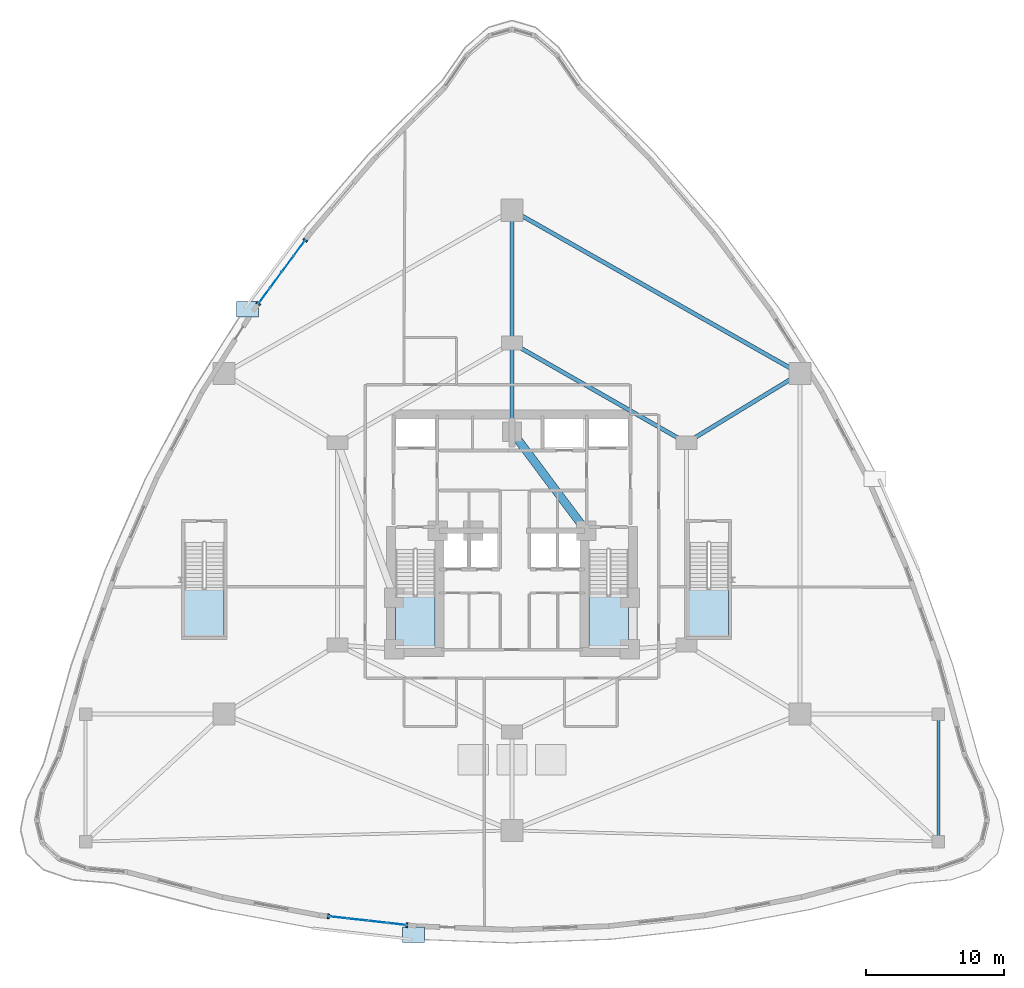
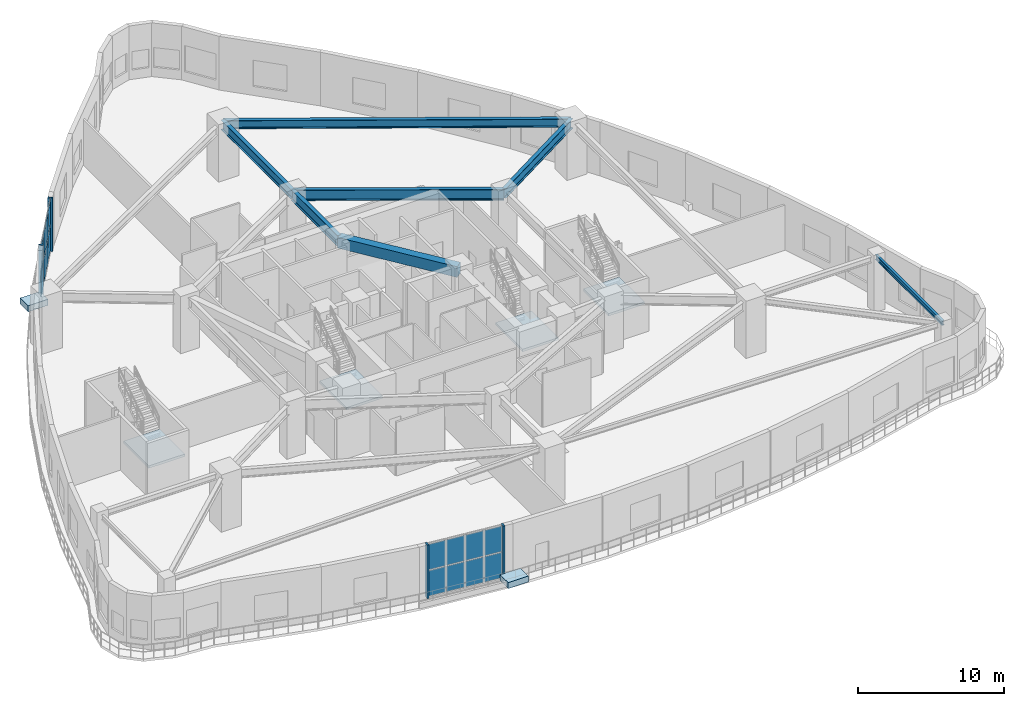
# One storey, part 13 of 23: 20 plates, 7 beams, 6 slabs, 6 elements without a shape of their own.
"""IFC4 building model written with IfcOpenShell, lengths in metres."""

from ifc_helpers import new_model, si_unit, direction, frame, origin, origin_2d, place, context, subcontext, project, spatial, polyline, rectangle, i_section, outline, extrude, material, layer, layer_set, material_profile, profile_set, type_object, element, aggregate, save


model = new_model("IFC4")

# Units and contexts
model_context = context("Model", 3, precision=1e-05, world=origin(), true_north=direction((0.0, 1.0)))
body_context = subcontext(model_context, "Body", "Model", "MODEL_VIEW")
ifc_project = project(units=[si_unit("LENGTHUNIT", "METRE"), si_unit("AREAUNIT", "SQUARE_METRE"), si_unit("VOLUMEUNIT", "CUBIC_METRE"), si_unit("PLANEANGLEUNIT", "RADIAN"), si_unit("MASSUNIT", "GRAM", prefix="KILO")], contexts=[model_context])

# Site, building, storey
site_placement = place(None, origin())
site = spatial("IfcSite", under=ifc_project, at=site_placement, CompositionType="ELEMENT")
building_placement = place(site_placement, origin())
building = spatial("IfcBuilding", under=site, at=building_placement, Name="Miruveldt Soraemaru", CompositionType="ELEMENT")
storey_placement = place(building_placement, frame((0.0, 0.0, 9.60009765625)))
storey = spatial("IfcBuildingStorey", under=building, at=storey_placement, Name="L03", CompositionType="ELEMENT", Elevation=9.60009765625)

# Beams
ifc_material_1 = material(Name="Concrete C60/75 (60 MPa)", Category="concrete")
ifc_material_profile_1 = material_profile(ifc_material_1, rectangle(XDim=0.60009765625, YDim=0.89990234375, at=origin_2d()), Name="Concrete C60/75 (60 MPa)", Category="concrete")
ifc_profile_set_1 = profile_set([ifc_material_profile_1], Name="Concrete C60/75 (60 MPa)")
beam_type_1 = type_object("IfcBeamType", Name="BM-RC-600x900", PredefinedType="BEAM", material=ifc_profile_set_1)
beam_1_placement = place(storey_placement, frame((49.35009765625, 44.050048828125, 4.0498046875), z_axis=(-0.599116023999, 0.800662219533, 0.0), x_axis=(-0.800662219533, -0.599116023999, 0.0)))
element("IfcBeam", 1, at=beam_1_placement, inside=storey, type_object=beam_type_1, Name="L03 Core Tie Beam 5", PredefinedType="BEAM", context=body_context, shape_type="SweptSolid", body=[
    extrude(rectangle(XDim=0.60009765625, YDim=0.89990234375, at=origin_2d()), origin(), (0.0, 0.0, 1.0), 8.929931640625),
])
ifc_material_2 = material(Name="Steel SM355 (355 MPa)", Category="steel")
ifc_material_profile_2 = material_profile(ifc_material_2, i_section(OverallWidth=0.199951171875, OverallDepth=0.39990234375, WebThickness=0.008056640625, FlangeThickness=0.012939453125, FilletRadius=0.01611328125, at=origin_2d()), Name="Steel SM355 (355 MPa)", Category="steel")
ifc_profile_set_2 = profile_set([ifc_material_profile_2], Name="Steel SM355 (355 MPa)")
beam_type_2 = type_object("IfcBeamType", Name="BM-ST-H400", PredefinedType="JOIST", material=ifc_profile_set_2)
beam_2_placement = place(storey_placement, frame((74.800048828125, 30.800048828125, 4.2998046875), z_axis=(0.0, -1.0, 0.0), x_axis=(1.0, 0.0, 0.0)))
element("IfcBeam", 2, at=beam_2_placement, inside=storey, type_object=beam_type_2, Name="L03 Podium East Bay Edge Beam", PredefinedType="JOIST", context=body_context, shape_type="SweptSolid", body=[
    extrude(i_section(OverallWidth=0.199951171875, OverallDepth=0.39990234375, WebThickness=0.008056640625, FlangeThickness=0.012939453125, FilletRadius=0.01611328125, at=origin_2d()), origin(), (0.0, 0.0, 1.0), 9.199951171875),
])
ifc_material_profile_3 = material_profile(ifc_material_2, i_section(OverallWidth=0.300048828125, OverallDepth=0.699951171875, WebThickness=0.012939453125, FlangeThickness=0.02392578125, FilletRadius=0.028076171875, at=origin_2d()), Name="Steel SM355 (355 MPa)", Category="steel")
ifc_profile_set_3 = profile_set([ifc_material_profile_3], Name="Steel SM355 (355 MPa)")
beam_type_3 = type_object("IfcBeamType", Name="BM-ST-H700", PredefinedType="BEAM", material=ifc_profile_set_3)
beam_3_placement = place(storey_placement, frame((44.0, 67.199951171875, 4.14990234375), z_axis=(0.869782551993, -0.493435215858, 0.0), x_axis=(0.493435215858, 0.869782551993, 0.0)))
element("IfcBeam", 3, at=beam_3_placement, inside=storey, type_object=beam_type_3, Name="L03 Podium Ring Girder 1", PredefinedType="BEAM", context=body_context, shape_type="SweptSolid", body=[
    extrude(i_section(OverallWidth=0.300048828125, OverallDepth=0.699951171875, WebThickness=0.012939453125, FlangeThickness=0.02392578125, FilletRadius=0.028076171875, at=origin_2d()), origin(), (0.0, 0.0, 1.0), 23.9140625),
])
ifc_material_3 = material(Name="Steel S460 (460 MPa)", Category="steel")
ifc_material_profile_4 = material_profile(ifc_material_3, i_section(OverallWidth=0.300048828125, OverallDepth=0.800048828125, WebThickness=0.013916015625, FlangeThickness=0.02587890625, FilletRadius=0.028076171875, at=origin_2d()), Name="Steel S460 (460 MPa)", Category="steel")
ifc_profile_set_4 = profile_set([ifc_material_profile_4], Name="Steel S460 (460 MPa)")
beam_type_4 = type_object("IfcBeamType", Name="BM-ST-H800", PredefinedType="BEAM", material=ifc_profile_set_4)
beam_4_placement = place(storey_placement, frame((44.0, 57.60009765625, 4.099853515625), z_axis=(0.0, 1.0, 0.0), x_axis=(-1.0, 0.0, 0.0)))
element("IfcBeam", 4, at=beam_4_placement, inside=storey, type_object=beam_type_4, Name="L03 Podium Radial Girder 1", PredefinedType="BEAM", context=body_context, shape_type="SweptSolid", body=[
    extrude(i_section(OverallWidth=0.300048828125, OverallDepth=0.800048828125, WebThickness=0.013916015625, FlangeThickness=0.02587890625, FilletRadius=0.028076171875, at=origin_2d()), origin(), (0.0, 0.0, 1.0), 9.599853515625),
])
beam_5_placement = place(storey_placement, frame((56.60009765625, 50.39990234375, 4.099853515625), z_axis=(0.853794797843, 0.520609684098, 0.0), x_axis=(-0.520609684098, 0.853794797843, 0.0)))
element("IfcBeam", 5, at=beam_5_placement, inside=storey, type_object=beam_type_4, Name="L03 Podium Radial Girder 2", PredefinedType="BEAM", context=body_context, shape_type="SweptSolid", body=[
    extrude(i_section(OverallWidth=0.300048828125, OverallDepth=0.800048828125, WebThickness=0.013916015625, FlangeThickness=0.02587890625, FilletRadius=0.028076171875, at=origin_2d()), origin(), (0.0, 0.0, 1.0), 9.60400390625),
])
ifc_material_profile_5 = material_profile(ifc_material_3, i_section(OverallWidth=0.300048828125, OverallDepth=0.89990234375, WebThickness=0.01611328125, FlangeThickness=0.028076171875, FilletRadius=0.028076171875, at=origin_2d()), Name="Steel S460 (460 MPa)", Category="steel")
ifc_profile_set_5 = profile_set([ifc_material_profile_5], Name="Steel S460 (460 MPa)")
beam_type_5 = type_object("IfcBeamType", Name="BM-ST-H900", PredefinedType="BEAM", material=ifc_profile_set_5)
beam_6_placement = place(storey_placement, frame((44.0, 57.60009765625, 4.0498046875), z_axis=(0.868239001029, -0.496146185203, 0.0), x_axis=(0.496146185203, 0.868239001029, 0.0)))
element("IfcBeam", 6, at=beam_6_placement, inside=storey, type_object=beam_type_5, Name="L03 Inner Ring Girder 1", PredefinedType="BEAM", context=body_context, shape_type="SweptSolid", body=[
    extrude(i_section(OverallWidth=0.300048828125, OverallDepth=0.89990234375, WebThickness=0.01611328125, FlangeThickness=0.028076171875, FilletRadius=0.028076171875, at=origin_2d()), origin(), (0.0, 0.0, 1.0), 14.51220703125),
])
beam_7_placement = place(storey_placement, frame((44.0, 51.199951171875, 4.0498046875), z_axis=(0.0, 1.0, 0.0), x_axis=(-1.0, 0.0, 0.0)))
element("IfcBeam", 7, at=beam_7_placement, inside=storey, type_object=beam_type_5, Name="L03 Core-to-Inner Radial Girder 1", PredefinedType="BEAM", context=body_context, shape_type="SweptSolid", body=[
    extrude(i_section(OverallWidth=0.300048828125, OverallDepth=0.89990234375, WebThickness=0.01611328125, FlangeThickness=0.028076171875, FilletRadius=0.028076171875, at=origin_2d()), origin(), (0.0, 0.0, 1.0), 6.400146484375),
])

# Curtain wall, plates
ifc_material_4 = material(Name="Anodised aluminium EN AW-6063 T6", Category="aluminium")
ifc_layer_1 = layer(ifc_material_4, 0.219970703125, Name="Anodised aluminium EN AW-6063 T6", Category="aluminium")
ifc_layer_set_1 = layer_set([ifc_layer_1], Name="Anodised aluminium EN AW-6063 T6")
curtain_wall_type = type_object("IfcCurtainWallType", Name="CW-SYS-2", PredefinedType="USERDEFINED", material=ifc_layer_set_1)
curtain_wall_1_placement = place(storey_placement, origin())
curtain_wall_1 = element("IfcCurtainWall", 8, at=curtain_wall_1_placement, inside=storey, type_object=curtain_wall_type, Name="L03 Curtain Wall Bay 9", ObjectType="STOREFRONT", PredefinedType="USERDEFINED")
ifc_material_5 = material(Name="Triple low-e insulated glazing", Category="glass")
ifc_layer_2 = layer(ifc_material_5, 0.031982421875, Name="Triple low-e insulated glazing", Category="glass")
ifc_layer_set_2 = layer_set([ifc_layer_2], Name="Triple low-e insulated glazing")
plate_type_1 = type_object("IfcPlateType", Name="CWP-2", PredefinedType="CURTAIN_PANEL", material=ifc_layer_set_2)
plate_1_placement = place(storey_placement, frame((28.631103515625, 64.44677734375, 0.07470703125), z_axis=(0.0, 0.0, 1.0), x_axis=(-0.593687521762, -0.804695673223, 0.0)))
plate_1 = element("IfcPlate", 9, at=plate_1_placement, type_object=plate_type_1, Name="CW-2 panel 1.1", PredefinedType="CURTAIN_PANEL", context=body_context, shape_type="SweptSolid", body=[
    extrude(rectangle(XDim=1.311767578125, YDim=0.031982421875, at=origin_2d()), origin(), (0.0, 0.0, 1.0), 2.137451171875),
])
plate_2_placement = place(storey_placement, frame((28.631103515625, 64.44677734375, 2.28759765625), z_axis=(0.0, 0.0, 1.0), x_axis=(-0.593687521762, -0.804695673223, 0.0)))
plate_2 = element("IfcPlate", 10, at=plate_2_placement, type_object=plate_type_1, Name="CW-2 panel 1.2", PredefinedType="CURTAIN_PANEL", context=body_context, shape_type="SweptSolid", body=[
    extrude(rectangle(XDim=1.311767578125, YDim=0.031982421875, at=origin_2d()), origin(), (0.0, 0.0, 1.0), 2.137451171875),
])
plate_3_placement = place(storey_placement, frame((27.796630859375, 63.315673828125, 0.07470703125), z_axis=(0.0, 0.0, 1.0), x_axis=(-0.593687521762, -0.804695673223, 0.0)))
plate_3 = element("IfcPlate", 11, at=plate_3_placement, type_object=plate_type_1, Name="CW-2 panel 2.1", PredefinedType="CURTAIN_PANEL", context=body_context, shape_type="SweptSolid", body=[
    extrude(rectangle(XDim=1.34912109375, YDim=0.031982421875, at=origin_2d()), origin(), (0.0, 0.0, 1.0), 2.137451171875),
])
plate_4_placement = place(storey_placement, frame((27.796630859375, 63.315673828125, 2.28759765625), z_axis=(0.0, 0.0, 1.0), x_axis=(-0.593687521762, -0.804695673223, 0.0)))
plate_4 = element("IfcPlate", 12, at=plate_4_placement, type_object=plate_type_1, Name="CW-2 panel 2.2", PredefinedType="CURTAIN_PANEL", context=body_context, shape_type="SweptSolid", body=[
    extrude(rectangle(XDim=1.34912109375, YDim=0.031982421875, at=origin_2d()), origin(), (0.0, 0.0, 1.0), 2.137451171875),
])
plate_5_placement = place(storey_placement, frame((26.950927734375, 62.169677734375, 0.07470703125), z_axis=(0.0, 0.0, 1.0), x_axis=(-0.593687521762, -0.804695673223, 0.0)))
plate_5 = element("IfcPlate", 13, at=plate_5_placement, type_object=plate_type_1, Name="CW-2 panel 3.1", PredefinedType="CURTAIN_PANEL", context=body_context, shape_type="SweptSolid", body=[
    extrude(rectangle(XDim=1.34912109375, YDim=0.031982421875, at=origin_2d()), origin(), (0.0, 0.0, 1.0), 2.137451171875),
])
plate_6_placement = place(storey_placement, frame((26.950927734375, 62.169677734375, 2.28759765625), z_axis=(0.0, 0.0, 1.0), x_axis=(-0.593687521762, -0.804695673223, 0.0)))
plate_6 = element("IfcPlate", 14, at=plate_6_placement, type_object=plate_type_1, Name="CW-2 panel 3.2", PredefinedType="CURTAIN_PANEL", context=body_context, shape_type="SweptSolid", body=[
    extrude(rectangle(XDim=1.34912109375, YDim=0.031982421875, at=origin_2d()), origin(), (0.0, 0.0, 1.0), 2.137451171875),
])
plate_7_placement = place(storey_placement, frame((26.11669921875, 61.038818359375, 0.07470703125), z_axis=(0.0, 0.0, 1.0), x_axis=(-0.593687521762, -0.804695673223, 0.0)))
plate_7 = element("IfcPlate", 15, at=plate_7_placement, type_object=plate_type_1, Name="CW-2 panel 4.1", PredefinedType="CURTAIN_PANEL", context=body_context, shape_type="SweptSolid", body=[
    extrude(rectangle(XDim=1.311767578125, YDim=0.031982421875, at=origin_2d()), origin(), (0.0, 0.0, 1.0), 2.137451171875),
])
plate_8_placement = place(storey_placement, frame((26.11669921875, 61.038818359375, 2.28759765625), z_axis=(0.0, 0.0, 1.0), x_axis=(-0.593687521762, -0.804695673223, 0.0)))
plate_8 = element("IfcPlate", 16, at=plate_8_placement, type_object=plate_type_1, Name="CW-2 panel 4.2", PredefinedType="CURTAIN_PANEL", context=body_context, shape_type="SweptSolid", body=[
    extrude(rectangle(XDim=1.311767578125, YDim=0.031982421875, at=origin_2d()), origin(), (0.0, 0.0, 1.0), 2.137451171875),
])
aggregate(curtain_wall_1, [plate_1, plate_2, plate_3, plate_4, plate_5, plate_6, plate_7, plate_8])

curtain_wall_2_placement = place(storey_placement, origin())
curtain_wall_2 = element("IfcCurtainWall", 17, at=curtain_wall_2_placement, inside=storey, type_object=curtain_wall_type, Name="L03 Curtain Wall Bay 23", ObjectType="STOREFRONT", PredefinedType="USERDEFINED")
plate_9_placement = place(storey_placement, frame((31.465576171875, 16.11669921875, 0.07470703125), z_axis=(0.0, 0.0, 1.0), x_axis=(0.993733192934, -0.11177808936, 0.0)))
plate_9 = element("IfcPlate", 18, at=plate_9_placement, type_object=plate_type_1, Name="CW-2 panel 1.1", PredefinedType="CURTAIN_PANEL", context=body_context, shape_type="SweptSolid", body=[
    extrude(rectangle(XDim=1.311767578125, YDim=0.031982421875, at=origin_2d()), origin(), (0.0, 0.0, 1.0), 2.137451171875),
])
plate_10_placement = place(storey_placement, frame((31.465576171875, 16.11669921875, 2.28759765625), z_axis=(0.0, 0.0, 1.0), x_axis=(0.993733192934, -0.11177808936, 0.0)))
plate_10 = element("IfcPlate", 19, at=plate_10_placement, type_object=plate_type_1, Name="CW-2 panel 1.2", PredefinedType="CURTAIN_PANEL", context=body_context, shape_type="SweptSolid", body=[
    extrude(rectangle(XDim=1.311767578125, YDim=0.031982421875, at=origin_2d()), origin(), (0.0, 0.0, 1.0), 2.137451171875),
])
plate_11_placement = place(storey_placement, frame((32.8623046875, 15.95947265625, 0.07470703125), z_axis=(0.0, 0.0, 1.0), x_axis=(0.993733192934, -0.11177808936, 0.0)))
plate_11 = element("IfcPlate", 20, at=plate_11_placement, type_object=plate_type_1, Name="CW-2 panel 2.1", PredefinedType="CURTAIN_PANEL", context=body_context, shape_type="SweptSolid", body=[
    extrude(rectangle(XDim=1.349365234375, YDim=0.031982421875, at=origin_2d()), origin(), (0.0, 0.0, 1.0), 2.137451171875),
])
plate_12_placement = place(storey_placement, frame((32.8623046875, 15.95947265625, 2.28759765625), z_axis=(0.0, 0.0, 1.0), x_axis=(0.993733192934, -0.11177808936, 0.0)))
plate_12 = element("IfcPlate", 21, at=plate_12_placement, type_object=plate_type_1, Name="CW-2 panel 2.2", PredefinedType="CURTAIN_PANEL", context=body_context, shape_type="SweptSolid", body=[
    extrude(rectangle(XDim=1.349365234375, YDim=0.031982421875, at=origin_2d()), origin(), (0.0, 0.0, 1.0), 2.137451171875),
])
plate_13_placement = place(storey_placement, frame((34.277587890625, 15.80029296875, 0.07470703125), z_axis=(0.0, 0.0, 1.0), x_axis=(0.993733192934, -0.11177808936, 0.0)))
plate_13 = element("IfcPlate", 22, at=plate_13_placement, type_object=plate_type_1, Name="CW-2 panel 3.1", PredefinedType="CURTAIN_PANEL", context=body_context, shape_type="SweptSolid", body=[
    extrude(rectangle(XDim=1.349365234375, YDim=0.031982421875, at=origin_2d()), origin(), (0.0, 0.0, 1.0), 2.137451171875),
])
plate_14_placement = place(storey_placement, frame((34.277587890625, 15.80029296875, 2.28759765625), z_axis=(0.0, 0.0, 1.0), x_axis=(0.993733192934, -0.11177808936, 0.0)))
plate_14 = element("IfcPlate", 23, at=plate_14_placement, type_object=plate_type_1, Name="CW-2 panel 3.2", PredefinedType="CURTAIN_PANEL", context=body_context, shape_type="SweptSolid", body=[
    extrude(rectangle(XDim=1.349365234375, YDim=0.031982421875, at=origin_2d()), origin(), (0.0, 0.0, 1.0), 2.137451171875),
])
plate_15_placement = place(storey_placement, frame((35.67431640625, 15.643310546875, 0.07470703125), z_axis=(0.0, 0.0, 1.0), x_axis=(0.993733192934, -0.11177808936, 0.0)))
plate_15 = element("IfcPlate", 24, at=plate_15_placement, type_object=plate_type_1, Name="CW-2 panel 4.1", PredefinedType="CURTAIN_PANEL", context=body_context, shape_type="SweptSolid", body=[
    extrude(rectangle(XDim=1.311767578125, YDim=0.031982421875, at=origin_2d()), origin(), (0.0, 0.0, 1.0), 2.137451171875),
])
plate_16_placement = place(storey_placement, frame((35.67431640625, 15.643310546875, 2.28759765625), z_axis=(0.0, 0.0, 1.0), x_axis=(0.993733192934, -0.11177808936, 0.0)))
plate_16 = element("IfcPlate", 25, at=plate_16_placement, type_object=plate_type_1, Name="CW-2 panel 4.2", PredefinedType="CURTAIN_PANEL", context=body_context, shape_type="SweptSolid", body=[
    extrude(rectangle(XDim=1.311767578125, YDim=0.031982421875, at=origin_2d()), origin(), (0.0, 0.0, 1.0), 2.137451171875),
])
aggregate(curtain_wall_2, [plate_9, plate_10, plate_11, plate_12, plate_13, plate_14, plate_15, plate_16])

# Plates
ifc_layer_3 = layer(ifc_material_4, 0.030029296875, Name="Anodised aluminium EN AW-6063 T6", Category="aluminium")
ifc_layer_set_3 = layer_set([ifc_layer_3], Name="Anodised aluminium EN AW-6063 T6")
plate_type_2 = type_object("IfcPlateType", Name="PLT-JAMB-30", PredefinedType="SHEET", material=ifc_layer_set_3)
for number, where, z_axis, x_axis, name in (
    (26, (29.06494140625, 65.034912109375, 0.0), (0.0, 0.0, 1.0), (-0.593685766862, -0.804696967949, 0.0), "L03 Curtain Wall Jamb Closure Trim 9JL"),
    (27, (25.6826171875, 60.45068359375, 0.0), (0.0, 0.0, 1.0), (-0.593685766862, -0.804696967949, 0.0), "L03 Curtain Wall Jamb Closure Trim 9JR"),
    (28, (30.7392578125, 16.1982421875, 0.0), (0.0, 0.0, 1.0), (0.993732851123, -0.1117811281, 0.0), "L03 Curtain Wall Jamb Closure Trim 23JL"),
    (29, (36.400634765625, 15.5615234375, 0.0), (0.0, 0.0, 1.0), (0.993732851123, -0.1117811281, 0.0), "L03 Curtain Wall Jamb Closure Trim 23JR"),
):
    element("IfcPlate", number, at=place(storey_placement, frame(where, z_axis=z_axis, x_axis=x_axis)), inside=storey, type_object=plate_type_2, Name=name, PredefinedType="SHEET", context=body_context, shape_type="SweptSolid", body=[
        extrude(rectangle(XDim=0.139892578125, YDim=0.340087890625, at=origin_2d()), origin(), (0.0, 0.0, 1.0), 4.5),
    ])

# Stair, slab
ifc_material_6 = material(Name="Concrete C40/50 (40 MPa)", Category="concrete")
stair_type_1 = type_object("IfcStairType", Name="STAIR-DL-480", PredefinedType="HALF_TURN_STAIR", material=ifc_material_6)
stair_1_placement = place(storey_placement, origin())
stair_1 = element("IfcStair", 30, at=stair_1_placement, inside=storey, type_object=stair_type_1, Name="L03 Protected Exit Stair ST-1", PredefinedType="HALF_TURN_STAIR")
ifc_layer_4 = layer(ifc_material_6, 0.199951171875, Name="Concrete C40/50 (40 MPa)", Category="concrete")
ifc_layer_set_4 = layer_set([ifc_layer_4], Name="Concrete C40/50 (40 MPa)")
slab_type_1 = type_object("IfcSlabType", Name="SLAB-LAND-200", PredefinedType="LANDING", material=ifc_layer_set_4)
slab_1_placement = place(storey_placement, frame((0.0, 0.0, 2.199951171875)))
slab_1 = element("IfcSlab", 31, at=slab_1_placement, type_object=slab_type_1, Name="ST-1 landing 1", PredefinedType="LANDING", context=body_context, shape_type="SweptSolid", body=[
    extrude(outline(polyline([(35.60009765625, 39.35791015625), (35.60009765625, 35.64990234375), (38.449951171875, 35.64990234375), (38.449951171875, 39.35791015625), (35.60009765625, 39.35791015625)])), origin(), (0.0, 0.0, 1.0), 0.199951171875),
])
aggregate(stair_1, [slab_1])

stair_2_placement = place(storey_placement, origin())
stair_2 = element("IfcStair", 32, at=stair_2_placement, inside=storey, type_object=stair_type_1, Name="L03 Protected Exit Stair ST-2", PredefinedType="HALF_TURN_STAIR")
slab_2_placement = place(storey_placement, frame((0.0, 0.0, 2.199951171875)))
slab_2 = element("IfcSlab", 33, at=slab_2_placement, type_object=slab_type_1, Name="ST-2 landing 1", PredefinedType="LANDING", context=body_context, shape_type="SweptSolid", body=[
    extrude(outline(polyline([(49.550048828125, 39.35791015625), (49.550048828125, 35.64990234375), (52.39990234375, 35.64990234375), (52.39990234375, 39.35791015625), (49.550048828125, 39.35791015625)])), origin(), (0.0, 0.0, 1.0), 0.199951171875),
])
aggregate(stair_2, [slab_2])

stair_3_placement = place(storey_placement, origin())
stair_3 = element("IfcStair", 34, at=stair_3_placement, inside=storey, type_object=stair_type_1, Name="L03 Podium Protected Exit Stair ST-3", PredefinedType="HALF_TURN_STAIR")
slab_3_placement = place(storey_placement, frame((0.0, 0.0, 2.199951171875)))
slab_3 = element("IfcSlab", 35, at=slab_3_placement, type_object=slab_type_1, Name="ST-3 landing 1", PredefinedType="LANDING", context=body_context, shape_type="SweptSolid", body=[
    extrude(outline(polyline([(20.35009765625, 39.85791015625), (20.35009765625, 36.39990234375), (23.199951171875, 36.39990234375), (23.199951171875, 39.85791015625), (20.35009765625, 39.85791015625)])), origin(), (0.0, 0.0, 1.0), 0.199951171875),
])
aggregate(stair_3, [slab_3])

ifc_material_7 = material(Name="Steel S355 (355 MPa)", Category="steel")
stair_type_2 = type_object("IfcStairType", Name="STAIR-FEAT-STR", PredefinedType="TWO_STRAIGHT_RUN_STAIR", material=ifc_material_7)
stair_4_placement = place(storey_placement, origin())
stair_4 = element("IfcStair", 36, at=stair_4_placement, inside=storey, type_object=stair_type_2, Name="L03 Podium Garden Feature Stair ST-4", PredefinedType="TWO_STRAIGHT_RUN_STAIR")
slab_4_placement = place(storey_placement, frame((0.0, 0.0, 2.199951171875)))
slab_4 = element("IfcSlab", 37, at=slab_4_placement, type_object=slab_type_1, Name="ST-4 landing 1", PredefinedType="LANDING", context=body_context, shape_type="SweptSolid", body=[
    extrude(outline(polyline([(56.800048828125, 39.85791015625), (56.800048828125, 36.39990234375), (59.64990234375, 36.39990234375), (59.64990234375, 39.85791015625), (56.800048828125, 39.85791015625)])), origin(), (0.0, 0.0, 1.0), 0.199951171875),
])
aggregate(stair_4, [slab_4])

# Slabs
ifc_material_8 = material(Name="Precast concrete C45/55 (45 MPa)", Category="concrete")
ifc_layer_5 = layer(ifc_material_8, 0.179931640625, Name="Precast concrete C45/55 (45 MPa)", Category="concrete")
ifc_layer_set_5 = layer_set([ifc_layer_5], Name="Precast concrete C45/55 (45 MPa)")
slab_type_2 = type_object("IfcSlabType", Name="SLAB-PLTR-180", PredefinedType="USERDEFINED", material=ifc_layer_set_5)
slab_5_placement = place(storey_placement, origin())
element("IfcSlab", 38, at=slab_5_placement, inside=storey, type_object=slab_type_2, Name="L03 Terrace Planter Bed PLANTER 1", ObjectType="PLANTER", PredefinedType="USERDEFINED", context=body_context, shape_type="SweptSolid", body=[
    extrude(outline(polyline([(24.09912109375, 59.491943359375), (25.698974609375, 59.491943359375), (25.698974609375, 60.592041015625), (24.09912109375, 60.592041015625), (24.09912109375, 59.491943359375)])), origin(), (0.0, 0.0, 1.0), 0.5),
])
slab_6_placement = place(storey_placement, origin())
element("IfcSlab", 39, at=slab_6_placement, inside=storey, type_object=slab_type_2, Name="L03 Terrace Planter Bed PLANTER 2", ObjectType="PLANTER", PredefinedType="USERDEFINED", context=body_context, shape_type="SweptSolid", body=[
    extrude(outline(polyline([(36.091064453125, 14.31396484375), (37.69091796875, 14.31396484375), (37.69091796875, 15.4140625), (36.091064453125, 15.4140625), (36.091064453125, 14.31396484375)])), origin(), (0.0, 0.0, 1.0), 0.5),
])

save(model, "model.ifc")
